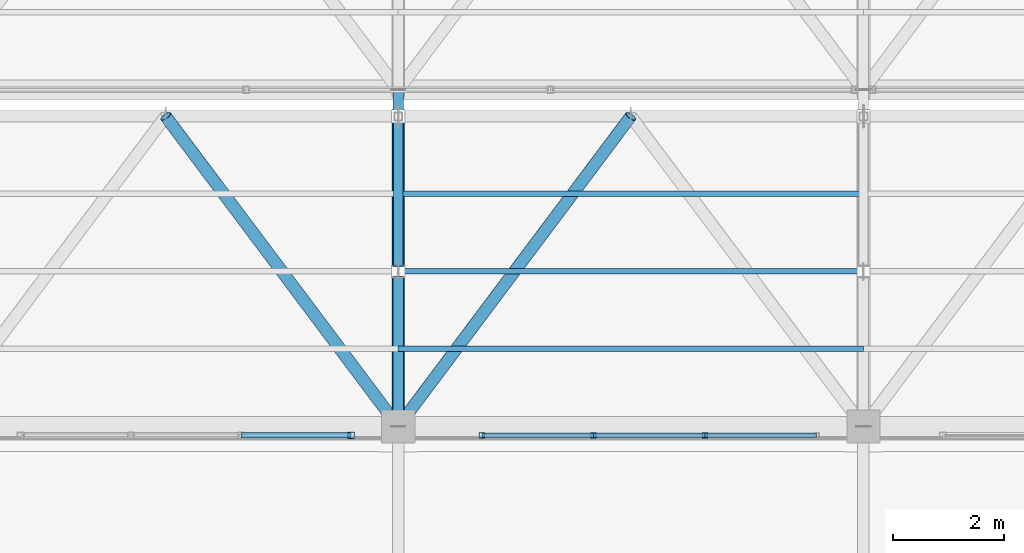
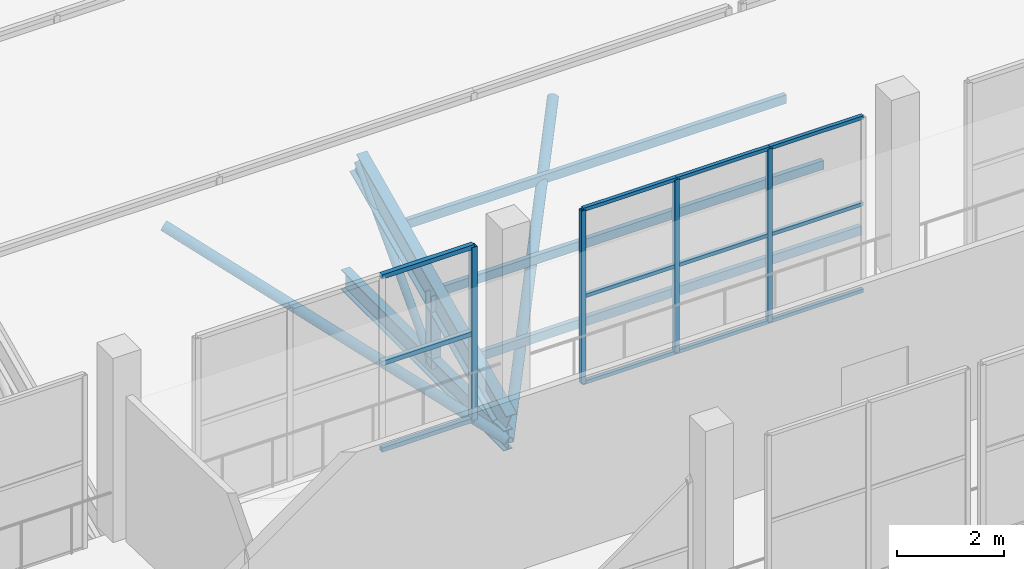
# One storey, part 73 of 217: 25 members, 2 elements without a shape of their own.
"""IFC4 building model written with IfcOpenShell, lengths in metres."""

from ifc_helpers import new_model, si_unit, direction, frame, origin, origin_2d, place, context, subcontext, project, spatial, hollow_rectangle, hollow_circle, i_section, extrude, material, material_profile, profile_set, type_object, element, aggregate, save


model = new_model("IFC4")

# Units and contexts
model_context = context("Model", 3, precision=1e-05, world=origin(), true_north=direction((0.0, 1.0)))
body_context = subcontext(model_context, "Body", "Model", "MODEL_VIEW")
ifc_project = project(units=[si_unit("LENGTHUNIT", "METRE"), si_unit("AREAUNIT", "SQUARE_METRE"), si_unit("VOLUMEUNIT", "CUBIC_METRE"), si_unit("PLANEANGLEUNIT", "RADIAN"), si_unit("MASSUNIT", "GRAM", prefix="KILO")], contexts=[model_context])

# Site, building, storey
site_placement = place(None, origin())
site = spatial("IfcSite", under=ifc_project, at=site_placement, CompositionType="ELEMENT")
building_placement = place(site_placement, origin())
building = spatial("IfcBuilding", under=site, at=building_placement, Name="Zuvorla Pavilion Media Centre", CompositionType="ELEMENT")
storey_placement = place(building_placement, frame((0.0, 0.0, 9.60009765625)))
storey = spatial("IfcBuildingStorey", under=building, at=storey_placement, Name="L02", CompositionType="ELEMENT", Elevation=9.60009765625)

# Curtain wall, members
ifc_material_1 = material(Name="Unitised anodised aluminium and solar glass curtain wall", Category="aluminium")
curtain_wall_type_1 = type_object("IfcCurtainWallType", Name="CW-SYS-15", PredefinedType="USERDEFINED", material=ifc_material_1)
curtain_wall_1_placement = place(storey_placement, origin())
curtain_wall_1 = element("IfcCurtainWall", 1, at=curtain_wall_1_placement, inside=storey, type_object=curtain_wall_type_1, Name="L02 curtain wall CW15 20", ObjectType="CURTAIN WALL", PredefinedType="USERDEFINED")
ifc_material_2 = material(Name="Anodised aluminium 6063-T6", Category="aluminium")
ifc_material_profile_1 = material_profile(ifc_material_2, hollow_rectangle(XDim=0.10009765625, YDim=0.10009765625, WallThickness=0.00439453125, at=origin_2d()), Name="ALU MULL 100x100")
ifc_profile_set_1 = profile_set([ifc_material_profile_1], Name="Anodised aluminium 6063-T6")
member_type_1 = type_object("IfcMemberType", Name="CW-MULL-100", PredefinedType="MULLION", material=ifc_profile_set_1)
member_1_placement = place(storey_placement, frame((80.736572265625, 89.43994140625, 0.0), z_axis=(0.0, 0.0, 1.0), x_axis=(1.0, 0.0, 0.0)))
member_1 = element("IfcMember", 2, at=member_1_placement, type_object=member_type_1, Name="CW15 mullion 2", PredefinedType="MULLION", context=body_context, shape_type="SweptSolid", body=[
    extrude(hollow_rectangle(XDim=0.10009765625, YDim=0.10009765625, WallThickness=0.00439453125, at=origin_2d()), origin(), (0.0, 0.0, 1.0), 3.949951171875),
])
member_2_placement = place(storey_placement, frame((78.72314453125, 89.43994140625, 0.0), z_axis=(0.0, 0.0, 1.0), x_axis=(1.0, 0.0, 0.0)))
member_2 = element("IfcMember", 3, at=member_2_placement, type_object=member_type_1, Name="CW15 mullion 3", PredefinedType="MULLION", context=body_context, shape_type="SweptSolid", body=[
    extrude(hollow_rectangle(XDim=0.10009765625, YDim=0.10009765625, WallThickness=0.00439453125, at=origin_2d()), origin(), (0.0, 0.0, 1.0), 3.949951171875),
])
member_3_placement = place(storey_placement, frame((76.7099609375, 89.43994140625, 0.0), z_axis=(0.0, 0.0, 1.0), x_axis=(1.0, 0.0, 0.0)))
member_3 = element("IfcMember", 4, at=member_3_placement, type_object=member_type_1, Name="CW15 mullion 4", PredefinedType="MULLION", context=body_context, shape_type="SweptSolid", body=[
    extrude(hollow_rectangle(XDim=0.10009765625, YDim=0.10009765625, WallThickness=0.00439453125, at=origin_2d()), origin(), (0.0, 0.0, 1.0), 3.949951171875),
])

curtain_wall_type_2 = type_object("IfcCurtainWallType", Name="CW-SYS-16", PredefinedType="USERDEFINED", material=ifc_material_1)
curtain_wall_2_placement = place(storey_placement, origin())
curtain_wall_2 = element("IfcCurtainWall", 5, at=curtain_wall_2_placement, inside=storey, type_object=curtain_wall_type_2, Name="L02 curtain wall CW16 21", ObjectType="CURTAIN WALL", PredefinedType="USERDEFINED")
ifc_material_profile_2 = material_profile(ifc_material_2, hollow_rectangle(XDim=0.1201171875, YDim=0.1201171875, WallThickness=0.0048828125, at=origin_2d()), Name="ALU MULL 120x120")
ifc_profile_set_2 = profile_set([ifc_material_profile_2], Name="Anodised aluminium 6063-T6")
member_type_2 = type_object("IfcMemberType", Name="CW-MULL-120", PredefinedType="MULLION", material=ifc_profile_set_2)
member_4_placement = place(storey_placement, frame((74.349609375, 89.43994140625, 0.0), z_axis=(0.0, 0.0, 1.0), x_axis=(1.0, 0.0, 0.0)))
member_4 = element("IfcMember", 6, at=member_4_placement, type_object=member_type_2, Name="CW16 mullion 1", PredefinedType="MULLION", context=body_context, shape_type="SweptSolid", body=[
    extrude(hollow_rectangle(XDim=0.1201171875, YDim=0.1201171875, WallThickness=0.0048828125, at=origin_2d()), origin(), (0.0, 0.0, 1.0), 3.949951171875),
])
ifc_material_profile_3 = material_profile(ifc_material_2, hollow_rectangle(XDim=0.10009765625, YDim=0.10009765625, WallThickness=0.00439453125, at=origin_2d()), Name="ALU TRAN 100x100")
ifc_profile_set_3 = profile_set([ifc_material_profile_3], Name="Anodised aluminium 6063-T6")
member_type_3 = type_object("IfcMemberType", Name="CW-TRAN-100", PredefinedType="USERDEFINED", material=ifc_profile_set_3)
member_5_placement = place(storey_placement, frame((74.349609375, 89.43994140625, 0.0), z_axis=(-1.0, 0.0, 0.0), x_axis=(0.0, -1.0, 0.0)))
member_5 = element("IfcMember", 7, at=member_5_placement, type_object=member_type_3, Name="CW16 transom 1.1", ObjectType="TRANSOM", PredefinedType="USERDEFINED", context=body_context, shape_type="SweptSolid", body=[
    extrude(hollow_rectangle(XDim=0.10009765625, YDim=0.10009765625, WallThickness=0.00439453125, at=origin_2d()), origin(), (0.0, 0.0, 1.0), 1.988037109375),
])
member_6_placement = place(storey_placement, frame((74.349609375, 89.43994140625, 1.974853515625), z_axis=(-1.0, 0.0, 0.0), x_axis=(0.0, -1.0, 0.0)))
member_6 = element("IfcMember", 8, at=member_6_placement, type_object=member_type_3, Name="CW16 transom 1.2", ObjectType="TRANSOM", PredefinedType="USERDEFINED", context=body_context, shape_type="SweptSolid", body=[
    extrude(hollow_rectangle(XDim=0.10009765625, YDim=0.10009765625, WallThickness=0.00439453125, at=origin_2d()), origin(), (0.0, 0.0, 1.0), 1.988037109375),
])
member_7_placement = place(storey_placement, frame((74.349609375, 89.43994140625, 3.949951171875), z_axis=(-1.0, 0.0, 0.0), x_axis=(0.0, -1.0, 0.0)))
member_7 = element("IfcMember", 9, at=member_7_placement, type_object=member_type_3, Name="CW16 transom 1.3", ObjectType="TRANSOM", PredefinedType="USERDEFINED", context=body_context, shape_type="SweptSolid", body=[
    extrude(hollow_rectangle(XDim=0.10009765625, YDim=0.10009765625, WallThickness=0.00439453125, at=origin_2d()), origin(), (0.0, 0.0, 1.0), 1.988037109375),
])
aggregate(curtain_wall_2, [member_4, member_5, member_6, member_7])

# Member
ifc_material_profile_4 = material_profile(ifc_material_2, hollow_rectangle(XDim=0.080078125, YDim=0.080078125, WallThickness=0.00390625, at=origin_2d()), Name="ALU TRAN 80x80")
ifc_profile_set_4 = profile_set([ifc_material_profile_4], Name="Anodised aluminium 6063-T6")
member_type_4 = type_object("IfcMemberType", Name="CW-TRAN-80", PredefinedType="USERDEFINED", material=ifc_profile_set_4)
member_8_placement = place(storey_placement, frame((82.749755859375, 89.43994140625, 0.0), z_axis=(-1.0, 0.0, 0.0), x_axis=(0.0, -1.0, 0.0)))
member_8 = element("IfcMember", 10, at=member_8_placement, type_object=member_type_4, Name="CW15 transom 1.1", ObjectType="TRANSOM", PredefinedType="USERDEFINED", context=body_context, shape_type="SweptSolid", body=[
    extrude(hollow_rectangle(XDim=0.080078125, YDim=0.080078125, WallThickness=0.00390625, at=origin_2d()), origin(), (0.0, 0.0, 1.0), 2.01318359375),
])

member_9_placement = place(storey_placement, frame((82.749755859375, 89.43994140625, 1.974853515625), z_axis=(-1.0, 0.0, 0.0), x_axis=(0.0, -1.0, 0.0)))
member_9 = element("IfcMember", 11, at=member_9_placement, type_object=member_type_4, Name="CW15 transom 1.2", ObjectType="TRANSOM", PredefinedType="USERDEFINED", context=body_context, shape_type="SweptSolid", body=[
    extrude(hollow_rectangle(XDim=0.080078125, YDim=0.080078125, WallThickness=0.00390625, at=origin_2d()), origin(), (0.0, 0.0, 1.0), 2.01318359375),
])

member_10_placement = place(storey_placement, frame((82.749755859375, 89.43994140625, 3.949951171875), z_axis=(-1.0, 0.0, 0.0), x_axis=(0.0, -1.0, 0.0)))
member_10 = element("IfcMember", 12, at=member_10_placement, type_object=member_type_4, Name="CW15 transom 1.3", ObjectType="TRANSOM", PredefinedType="USERDEFINED", context=body_context, shape_type="SweptSolid", body=[
    extrude(hollow_rectangle(XDim=0.080078125, YDim=0.080078125, WallThickness=0.00390625, at=origin_2d()), origin(), (0.0, 0.0, 1.0), 2.01318359375),
])

member_11_placement = place(storey_placement, frame((80.736572265625, 89.43994140625, 0.0), z_axis=(-1.0, 0.0, 0.0), x_axis=(0.0, -1.0, 0.0)))
member_11 = element("IfcMember", 13, at=member_11_placement, type_object=member_type_4, Name="CW15 transom 2.1", ObjectType="TRANSOM", PredefinedType="USERDEFINED", context=body_context, shape_type="SweptSolid", body=[
    extrude(hollow_rectangle(XDim=0.080078125, YDim=0.080078125, WallThickness=0.00390625, at=origin_2d()), origin(), (0.0, 0.0, 1.0), 2.013427734375),
])

member_12_placement = place(storey_placement, frame((80.736572265625, 89.43994140625, 1.974853515625), z_axis=(-1.0, 0.0, 0.0), x_axis=(0.0, -1.0, 0.0)))
member_12 = element("IfcMember", 14, at=member_12_placement, type_object=member_type_4, Name="CW15 transom 2.2", ObjectType="TRANSOM", PredefinedType="USERDEFINED", context=body_context, shape_type="SweptSolid", body=[
    extrude(hollow_rectangle(XDim=0.080078125, YDim=0.080078125, WallThickness=0.00390625, at=origin_2d()), origin(), (0.0, 0.0, 1.0), 2.013427734375),
])

member_13_placement = place(storey_placement, frame((80.736572265625, 89.43994140625, 3.949951171875), z_axis=(-1.0, 0.0, 0.0), x_axis=(0.0, -1.0, 0.0)))
member_13 = element("IfcMember", 15, at=member_13_placement, type_object=member_type_4, Name="CW15 transom 2.3", ObjectType="TRANSOM", PredefinedType="USERDEFINED", context=body_context, shape_type="SweptSolid", body=[
    extrude(hollow_rectangle(XDim=0.080078125, YDim=0.080078125, WallThickness=0.00390625, at=origin_2d()), origin(), (0.0, 0.0, 1.0), 2.013427734375),
])

member_14_placement = place(storey_placement, frame((78.72314453125, 89.43994140625, 0.0), z_axis=(-1.0, 0.0, 0.0), x_axis=(0.0, -1.0, 0.0)))
member_14 = element("IfcMember", 16, at=member_14_placement, type_object=member_type_4, Name="CW15 transom 3.1", ObjectType="TRANSOM", PredefinedType="USERDEFINED", context=body_context, shape_type="SweptSolid", body=[
    extrude(hollow_rectangle(XDim=0.080078125, YDim=0.080078125, WallThickness=0.00390625, at=origin_2d()), origin(), (0.0, 0.0, 1.0), 2.01318359375),
])

member_15_placement = place(storey_placement, frame((78.72314453125, 89.43994140625, 1.974853515625), z_axis=(-1.0, 0.0, 0.0), x_axis=(0.0, -1.0, 0.0)))
member_15 = element("IfcMember", 17, at=member_15_placement, type_object=member_type_4, Name="CW15 transom 3.2", ObjectType="TRANSOM", PredefinedType="USERDEFINED", context=body_context, shape_type="SweptSolid", body=[
    extrude(hollow_rectangle(XDim=0.080078125, YDim=0.080078125, WallThickness=0.00390625, at=origin_2d()), origin(), (0.0, 0.0, 1.0), 2.01318359375),
])

member_16_placement = place(storey_placement, frame((78.72314453125, 89.43994140625, 3.949951171875), z_axis=(-1.0, 0.0, 0.0), x_axis=(0.0, -1.0, 0.0)))
member_16 = element("IfcMember", 18, at=member_16_placement, type_object=member_type_4, Name="CW15 transom 3.3", ObjectType="TRANSOM", PredefinedType="USERDEFINED", context=body_context, shape_type="SweptSolid", body=[
    extrude(hollow_rectangle(XDim=0.080078125, YDim=0.080078125, WallThickness=0.00390625, at=origin_2d()), origin(), (0.0, 0.0, 1.0), 2.01318359375),
])

aggregate(curtain_wall_1, [member_1, member_2, member_3, member_8, member_9, member_10, member_11, member_12, member_13, member_14, member_15, member_16])

# Members
ifc_material_3 = material(Name="Steel S355", Category="steel")
ifc_material_profile_5 = material_profile(ifc_material_3, hollow_circle(Radius=0.084228515625, WallThickness=0.008056640625, at=origin_2d()), Name="CHS 168.3x8")
ifc_profile_set_5 = profile_set([ifc_material_profile_5], Name="Steel S355")
member_type_5 = type_object("IfcMemberType", Name="MEM-BRC-CHS168", PredefinedType="BRACE", material=ifc_profile_set_5)
member_17_placement = place(storey_placement, frame((75.199951171875, 92.39990234375, -0.880126953125), z_axis=(0.0, 0.68676242614, 0.726881950555), x_axis=(-1.0, 0.0, 0.0)))
element("IfcMember", 19, at=member_17_placement, inside=storey, type_object=member_type_5, Name="L02 diagonal brace TB03 41", PredefinedType="BRACE", context=body_context, shape_type="SweptSolid", body=[
    extrude(hollow_circle(Radius=0.084228515625, WallThickness=0.008056640625, at=origin_2d()), origin(), (0.0, 0.0, 1.0), 4.0771484375),
])
ifc_material_profile_6 = material_profile(ifc_material_3, hollow_circle(Radius=0.109619140625, WallThickness=0.010009765625, at=origin_2d()), Name="CHS 219.1x10")
ifc_profile_set_6 = profile_set([ifc_material_profile_6], Name="Steel S355")
member_type_6 = type_object("IfcMemberType", Name="MEM-BRC-CHS219", PredefinedType="BRACE", material=ifc_profile_set_6)
for number, where, z_axis, x_axis, name in (
    (20, (71.0, 95.199951171875, 2.08349609375), (0.552524670006, -0.736688854033, -0.389879495972), (0.799995814625, 0.600005580459, 0.0), "L02 diagonal brace TB02 80"),
    (21, (75.199951171875, 89.60009765625, -0.880126953125), (0.552524670006, 0.736688854033, 0.389879495972), (-0.799995814625, 0.600005580459, 0.0), "L02 diagonal brace TB02 85"),
):
    element("IfcMember", number, at=place(storey_placement, frame(where, z_axis=z_axis, x_axis=x_axis)), inside=storey, type_object=member_type_6, Name=name, PredefinedType="BRACE", context=body_context, shape_type="SweptSolid", body=[
        extrude(hollow_circle(Radius=0.109619140625, WallThickness=0.010009765625, at=origin_2d()), origin(), (0.0, 0.0, 1.0), 7.601318359375),
    ])
ifc_material_profile_7 = material_profile(ifc_material_3, i_section(OverallWidth=0.19140625, OverallDepth=0.4599609375, WebThickness=0.010009765625, FlangeThickness=0.01611328125, FilletRadius=0.01025390625, at=origin_2d()), Name="UB 457x191x82")
ifc_profile_set_7 = profile_set([ifc_material_profile_7], Name="Steel S355")
member_type_7 = type_object("IfcMemberType", Name="MEM-CHD-UB457", PredefinedType="CHORD", material=ifc_profile_set_7)
member_18_placement = place(storey_placement, frame((75.199951171875, 89.60009765625, -0.880126953125), z_axis=(0.0, 1.0, 0.0), x_axis=(-1.0, 0.0, 0.0)))
element("IfcMember", 22, at=member_18_placement, inside=storey, type_object=member_type_7, Name="L02 chord TC03 38", PredefinedType="CHORD", context=body_context, shape_type="SweptSolid", body=[
    extrude(i_section(OverallWidth=0.19140625, OverallDepth=0.4599609375, WebThickness=0.010009765625, FlangeThickness=0.01611328125, FilletRadius=0.01025390625, at=origin_2d()), origin(), (0.0, 0.0, 1.0), 6.079833984375),
])
ifc_material_profile_8 = material_profile(ifc_material_3, i_section(OverallWidth=0.22900390625, OverallDepth=0.6123046875, WebThickness=0.011962890625, FlangeThickness=0.01953125, FilletRadius=0.0126953125, at=origin_2d()), Name="UB 610x229x125")
ifc_profile_set_8 = profile_set([ifc_material_profile_8], Name="Steel S355")
member_type_8 = type_object("IfcMemberType", Name="MEM-CHD-UB610", PredefinedType="CHORD", material=ifc_profile_set_8)
member_19_placement = place(storey_placement, frame((75.199951171875, 89.60009765625, -0.5166015625), z_axis=(0.0, 0.906998718654, 0.421133380724), x_axis=(-1.0, 0.0, 0.0)))
element("IfcMember", 23, at=member_19_placement, inside=storey, type_object=member_type_8, Name="L02 chord TC01 39", PredefinedType="CHORD", context=body_context, shape_type="SweptSolid", body=[
    extrude(i_section(OverallWidth=0.22900390625, OverallDepth=0.6123046875, WebThickness=0.011962890625, FlangeThickness=0.01953125, FilletRadius=0.0126953125, at=origin_2d()), origin(), (0.0, 0.0, 1.0), 6.174072265625),
])
ifc_material_profile_9 = material_profile(ifc_material_3, hollow_rectangle(XDim=0.10009765625, YDim=0.199951171875, WallThickness=0.008056640625, at=origin_2d()), Name="RHS 200x100x8")
ifc_profile_set_9 = profile_set([ifc_material_profile_9], Name="Steel S355")
member_type_9 = type_object("IfcMemberType", Name="MEM-PUR-RHS200", PredefinedType="PURLIN", material=ifc_profile_set_9)
for number, where, z_axis, x_axis, name in (
    (24, (75.199951171875, 91.0, 0.133544921875), (1.0, 0.0, 0.0), (0.0, 1.0, 0.0), "L02 purlin PR01 87"),
    (25, (75.199951171875, 92.39990234375, 0.783447265625), (1.0, 0.0, 0.0), (0.0, 1.0, 0.0), "L02 purlin PR01 88"),
    (26, (75.199951171875, 93.800048828125, 1.43359375), (1.0, 0.0, 0.0), (0.0, 1.0, 0.0), "L02 purlin PR01 89"),
):
    element("IfcMember", number, at=place(storey_placement, frame(where, z_axis=z_axis, x_axis=x_axis)), inside=storey, type_object=member_type_9, Name=name, PredefinedType="PURLIN", context=body_context, shape_type="SweptSolid", body=[
        extrude(hollow_rectangle(XDim=0.10009765625, YDim=0.199951171875, WallThickness=0.008056640625, at=origin_2d()), origin(), (0.0, 0.0, 1.0), 8.400146484375),
    ])
ifc_material_profile_10 = material_profile(ifc_material_3, i_section(OverallWidth=0.205810546875, OverallDepth=0.209716796875, WebThickness=0.009521484375, FlangeThickness=0.01416015625, FilletRadius=0.01025390625, at=origin_2d()), Name="UC 203x203x60")
ifc_profile_set_10 = profile_set([ifc_material_profile_10], Name="Steel S355")
member_type_10 = type_object("IfcMemberType", Name="MEM-STR-UC203", PredefinedType="STRUT", material=ifc_profile_set_10)
member_20_placement = place(storey_placement, frame((75.199951171875, 92.39990234375, -0.880126953125), z_axis=(0.0, 0.0, 1.0), x_axis=(1.0, 0.0, 0.0)))
element("IfcMember", 27, at=member_20_placement, inside=storey, type_object=member_type_10, Name="L02 vertical strut TS02 42", PredefinedType="STRUT", context=body_context, shape_type="SweptSolid", body=[
    extrude(i_section(OverallWidth=0.205810546875, OverallDepth=0.209716796875, WebThickness=0.009521484375, FlangeThickness=0.01416015625, FilletRadius=0.01025390625, at=origin_2d()), origin(), (0.0, 0.0, 1.0), 1.66357421875),
])

save(model, "model.ifc")
